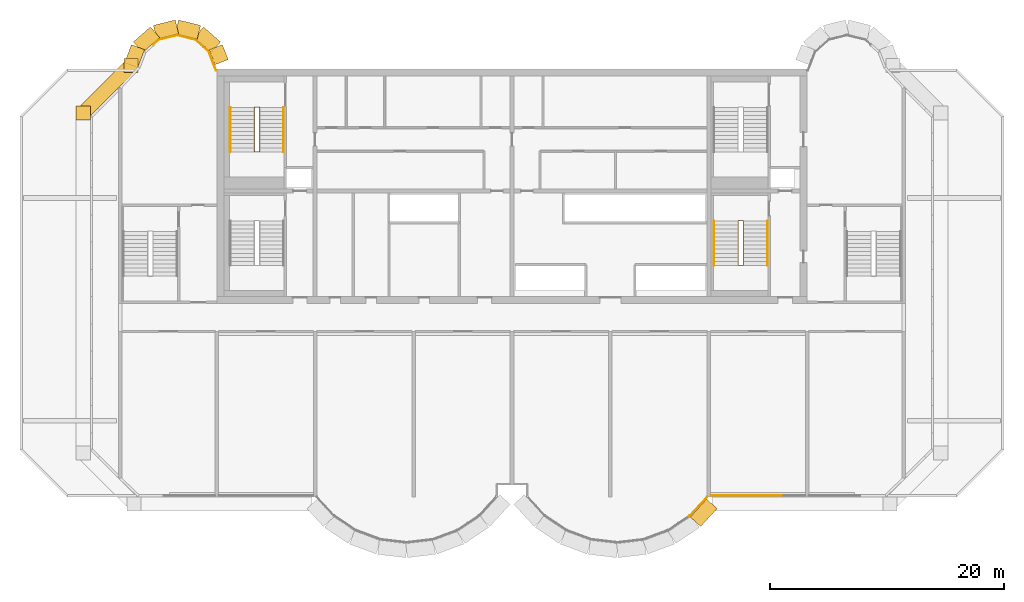
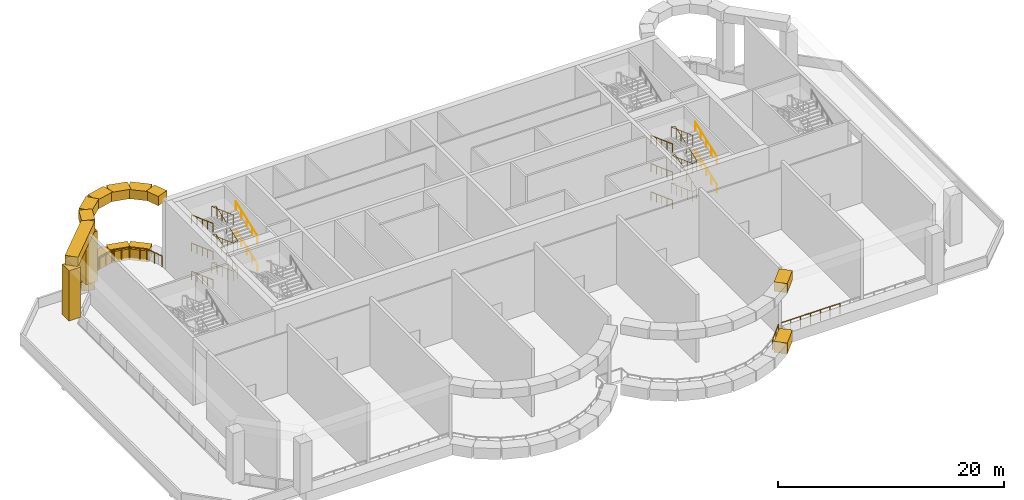
# One storey, part 9 of 11: 19 railings, 16 coverings.
"""IFC4 building model written with IfcOpenShell, lengths in metres."""

from ifc_helpers import new_model, si_unit, direction, frame, origin, origin_2d, place, context, subcontext, project, spatial, rectangle, circle, extrude, source, transform, mapped, material, type_object, element, save


model = new_model("IFC4")

# Units and contexts
model_context = context("Model", 3, precision=1e-05, world=origin(), true_north=direction((0.0, 1.0)))
body_context = subcontext(model_context, "Body", "Model", "MODEL_VIEW")
ifc_project = project(units=[si_unit("LENGTHUNIT", "METRE"), si_unit("AREAUNIT", "SQUARE_METRE"), si_unit("VOLUMEUNIT", "CUBIC_METRE"), si_unit("PLANEANGLEUNIT", "RADIAN"), si_unit("MASSUNIT", "GRAM", prefix="KILO")], contexts=[model_context])

# Site, building, storey
site_placement = place(None, origin())
site = spatial("IfcSite", under=ifc_project, at=site_placement, CompositionType="ELEMENT")
building_placement = place(site_placement, origin())
building = spatial("IfcBuilding", under=site, at=building_placement, Name="Vanashikhar Sky Hotel", CompositionType="ELEMENT")
storey_placement = place(building_placement, frame((0.0, 0.0, 206.39990234375)))
storey = spatial("IfcBuildingStorey", under=building, at=storey_placement, Name="L50", CompositionType="ELEMENT", Elevation=206.39990234375)

# Railings
ifc_material_1 = material(Name="Stainless steel 316", Category="steel")
railing_type_1 = type_object("IfcRailingType", Name="Open edge guard 1200", PredefinedType="GUARDRAIL", material=ifc_material_1)
shared_shape_1 = source(origin(), body_context, "Body", "SweptSolid", [
    extrude(circle(Radius=0.02392578125, at=origin_2d()), frame((0.0, 0.0, 1.17578125), z_axis=(0.749713466522, 0.661762584403, 0.0), x_axis=(-0.661762584403, 0.749713466522, 0.0)), (0.0, 0.0, 1.0), 0.630126953125),
    extrude(circle(Radius=0.02392578125, at=origin_2d()), frame((0.472412109375, 0.4169921875, 1.17578125), z_axis=(0.971157062052, 0.238440686181, 0.0), x_axis=(-0.238440686181, 0.971157062052, 0.0)), (0.0, 0.0, 1.0), 1.5859375),
    extrude(circle(Radius=0.02392578125, at=origin_2d()), frame((2.0126953125, 0.795166015625, 1.17578125), z_axis=(0.971053886782, -0.23886052199, 0.0), x_axis=(0.23886052199, 0.971053886782, 0.0)), (0.0, 0.0, 1.0), 0.156494140625),
    extrude(circle(Radius=0.02099609375, at=origin_2d()), origin(), (0.0, 0.0, 1.0), 1.15185546875),
    extrude(circle(Radius=0.02099609375, at=origin_2d()), frame((0.472412109375, 0.4169921875, 0.0)), (0.0, 0.0, 1.0), 1.15185546875),
    extrude(circle(Radius=0.02099609375, at=origin_2d()), frame((1.24267578125, 0.60595703125, 0.0)), (0.0, 0.0, 1.0), 1.15185546875),
    extrude(circle(Radius=0.02099609375, at=origin_2d()), frame((2.0126953125, 0.795166015625, 0.0)), (0.0, 0.0, 1.0), 1.15185546875),
    extrude(circle(Radius=0.02099609375, at=origin_2d()), frame((2.16455078125, 0.7578125, 0.0)), (0.0, 0.0, 1.0), 1.15185546875),
])
railing_1_placement = place(storey_placement, frame((19.787353515625, 44.101806640625, 0.0)))
element("IfcRailing", 1, at=railing_1_placement, inside=storey, type_object=railing_type_1, Name="Open edge guard", PredefinedType="GUARDRAIL", context=body_context, shape_type="MappedRepresentation", body=[
    mapped(shared_shape_1, transform((0.0, 0.0, 0.0), scale=1.0)),
])
shared_shape_2 = source(origin(), body_context, "Body", "SweptSolid", [
    extrude(circle(Radius=0.02392578125, at=origin_2d()), frame((0.0, 0.0, 1.17578125), z_axis=(0.97116833688, -0.238394759677, 0.0), x_axis=(0.238394759677, 0.97116833688, 0.0)), (0.0, 0.0, 1.0), 1.4296875),
    extrude(circle(Radius=0.02392578125, at=origin_2d()), frame((1.388427734375, -0.3408203125, 1.17578125), z_axis=(0.749747186246, -0.661724381231, 0.0), x_axis=(0.661724381231, 0.749747186246, 0.0)), (0.0, 0.0, 1.0), 0.943115234375),
    extrude(circle(Radius=0.02099609375, at=origin_2d()), origin(), (0.0, 0.0, 1.0), 1.15185546875),
    extrude(circle(Radius=0.02099609375, at=origin_2d()), frame((0.6943359375, -0.17041015625, 0.0)), (0.0, 0.0, 1.0), 1.15185546875),
    extrude(circle(Radius=0.02099609375, at=origin_2d()), frame((1.388427734375, -0.3408203125, 0.0)), (0.0, 0.0, 1.0), 1.15185546875),
    extrude(circle(Radius=0.02099609375, at=origin_2d()), frame((2.095458984375, -0.96484375, 0.0)), (0.0, 0.0, 1.0), 1.15185546875),
])
railing_2_placement = place(storey_placement, frame((21.951904296875, 44.859619140625, 0.0)))
element("IfcRailing", 2, at=railing_2_placement, inside=storey, type_object=railing_type_1, Name="Open edge guard", PredefinedType="GUARDRAIL", context=body_context, shape_type="MappedRepresentation", body=[
    mapped(shared_shape_2, transform((0.0, 0.0, 0.0), scale=1.0)),
])
shared_shape_3 = source(origin(), body_context, "Body", "SweptSolid", [
    extrude(circle(Radius=0.02392578125, at=origin_2d()), frame((0.0, 0.0, 1.17578125), z_axis=(0.749683064386, -0.661797025509, 0.0), x_axis=(0.661797025509, 0.749683064386, 0.0)), (0.0, 0.0, 1.0), 0.64453125),
    extrude(circle(Radius=0.02392578125, at=origin_2d()), frame((0.483154296875, -0.426513671875, 1.17578125), z_axis=(0.357614897755, -0.933869147634, 0.0), x_axis=(0.933869147634, 0.357614897755, 0.0)), (0.0, 0.0, 1.0), 1.679443359375),
    extrude(circle(Radius=0.02392578125, at=origin_2d()), frame((1.083740234375, -1.994873046875, 1.17578125), z_axis=(1.0, 0.0, 0.0), x_axis=(0.0, 1.0, 0.0)), (0.0, 0.0, 1.0), 0.048828125),
    extrude(circle(Radius=0.02099609375, at=origin_2d()), origin(), (0.0, 0.0, 1.0), 1.15185546875),
    extrude(circle(Radius=0.02099609375, at=origin_2d()), frame((0.483154296875, -0.426513671875, 0.0)), (0.0, 0.0, 1.0), 1.15185546875),
    extrude(circle(Radius=0.02099609375, at=origin_2d()), frame((0.783447265625, -1.210693359375, 0.0)), (0.0, 0.0, 1.0), 1.15185546875),
    extrude(circle(Radius=0.02099609375, at=origin_2d()), frame((1.083740234375, -1.994873046875, 0.0)), (0.0, 0.0, 1.0), 1.15185546875),
    extrude(circle(Radius=0.02099609375, at=origin_2d()), frame((1.132568359375, -1.994873046875, 0.0)), (0.0, 0.0, 1.0), 1.15185546875),
])
railing_3_placement = place(storey_placement, frame((24.04736328125, 43.894775390625, 0.0)))
element("IfcRailing", 3, at=railing_3_placement, inside=storey, type_object=railing_type_1, Name="Open edge guard", PredefinedType="GUARDRAIL", context=body_context, shape_type="MappedRepresentation", body=[
    mapped(shared_shape_3, transform((0.0, 0.0, 0.0), scale=1.0)),
])
shared_shape_4 = source(origin(), body_context, "Body", "SweptSolid", [
    extrude(circle(Radius=0.02392578125, at=origin_2d()), frame((0.0, 0.0, 1.17578125), z_axis=(-1.0, 0.0, 0.0), x_axis=(0.0, -1.0, 0.0)), (0.0, 0.0, 1.0), 2.014892578125),
    extrude(circle(Radius=0.02099609375, at=origin_2d()), origin(), (0.0, 0.0, 1.0), 1.15185546875),
    extrude(circle(Radius=0.02099609375, at=origin_2d()), frame((-1.00732421875, 0.0, 0.0)), (0.0, 0.0, 1.0), 1.15185546875),
    extrude(circle(Radius=0.02099609375, at=origin_2d()), frame((-2.014892578125, 0.0, 0.0)), (0.0, 0.0, 1.0), 1.15185546875),
])
for number, where, name in (
    (4, (71.39990234375, 5.60009765625, 0.0), "Open edge guard"),
    (5, (69.385009765625, 5.60009765625, 0.0), "Open edge guard"),
):
    element("IfcRailing", number, at=place(storey_placement, frame(where)), inside=storey, type_object=railing_type_1, Name=name, PredefinedType="GUARDRAIL", context=body_context, shape_type="MappedRepresentation", body=[
        mapped(shared_shape_4, transform((0.0, 0.0, 0.0), scale=1.0)),
    ])
shared_shape_5 = source(origin(), body_context, "Body", "SweptSolid", [
    extrude(circle(Radius=0.02392578125, at=origin_2d()), frame((0.0, 0.0, 1.17578125), z_axis=(-1.0, 0.0, 0.0), x_axis=(0.0, -1.0, 0.0)), (0.0, 0.0, 1.0), 2.01513671875),
    extrude(circle(Radius=0.02099609375, at=origin_2d()), origin(), (0.0, 0.0, 1.0), 1.15185546875),
    extrude(circle(Radius=0.02099609375, at=origin_2d()), frame((-1.007568359375, 0.0, 0.0)), (0.0, 0.0, 1.0), 1.15185546875),
    extrude(circle(Radius=0.02099609375, at=origin_2d()), frame((-2.01513671875, 0.0, 0.0)), (0.0, 0.0, 1.0), 1.15185546875),
])
railing_4_placement = place(storey_placement, frame((73.4150390625, 5.60009765625, 0.0)))
element("IfcRailing", 6, at=railing_4_placement, inside=storey, type_object=railing_type_1, Name="Open edge guard", PredefinedType="GUARDRAIL", context=body_context, shape_type="MappedRepresentation", body=[
    mapped(shared_shape_5, transform((0.0, 0.0, 0.0), scale=1.0)),
])
shared_shape_6 = source(origin(), body_context, "Body", "SweptSolid", [
    extrude(circle(Radius=0.02392578125, at=origin_2d()), frame((0.0, 0.0, 1.17578125), z_axis=(-0.675388701556, -0.737461932448, 0.0), x_axis=(0.737461932448, -0.675388701556, 0.0)), (0.0, 0.0, 1.0), 2.1396484375),
    extrude(circle(Radius=0.02392578125, at=origin_2d()), frame((-1.445068359375, -1.577880859375, 1.17578125), z_axis=(-0.830296320178, -0.557322187517, 0.0), x_axis=(0.557322187517, -0.830296320178, 0.0)), (0.0, 0.0, 1.0), 0.0859375),
    extrude(circle(Radius=0.02099609375, at=origin_2d()), origin(), (0.0, 0.0, 1.0), 1.15185546875),
    extrude(circle(Radius=0.02099609375, at=origin_2d()), frame((-0.72265625, -0.7890625, 0.0)), (0.0, 0.0, 1.0), 1.15185546875),
    extrude(circle(Radius=0.02099609375, at=origin_2d()), frame((-1.445068359375, -1.577880859375, 0.0)), (0.0, 0.0, 1.0), 1.15185546875),
    extrude(circle(Radius=0.02099609375, at=origin_2d()), frame((-1.516357421875, -1.625732421875, 0.0)), (0.0, 0.0, 1.0), 1.15185546875),
])
railing_5_placement = place(storey_placement, frame((67.04638671875, 5.480224609375, 0.0)))
element("IfcRailing", 7, at=railing_5_placement, inside=storey, type_object=railing_type_1, Name="Open edge guard", PredefinedType="GUARDRAIL", context=body_context, shape_type="MappedRepresentation", body=[
    mapped(shared_shape_6, transform((0.0, 0.0, 0.0), scale=1.0)),
])

# Coverings
ifc_material_2 = material(Name="Concrete M60 dark", Category="concrete")
covering_type = type_object("IfcCoveringType", Name="Wind floor portal frame", PredefinedType="CLADDING", material=ifc_material_2)
shared_shape_7 = source(origin(), body_context, "Body", "SweptSolid", [
    extrude(rectangle(XDim=2.0771484375, YDim=1.199951171875, at=origin_2d()), origin(), (0.0, 0.0, 1.0), 1.0),
])
covering_1_placement = place(storey_placement, frame((66.7626953125, 4.134033203125, 6.320068359375), z_axis=(0.0, 0.0, 1.0), x_axis=(0.67534568005, 0.737501330465, 0.0)))
element("IfcCovering", 8, at=covering_1_placement, inside=storey, type_object=covering_type, Name="Portal frame head", PredefinedType="CLADDING", context=body_context, shape_type="MappedRepresentation", body=[
    mapped(shared_shape_7, transform((0.0, 0.0, 0.0), scale=1.0)),
])
shared_shape_8 = source(origin(), body_context, "Body", "SweptSolid", [
    extrude(rectangle(XDim=2.0771484375, YDim=1.199951171875, at=origin_2d()), origin(), (0.0, 0.0, 1.0), 1.179931640625),
])
covering_2_placement = place(storey_placement, frame((66.7626953125, 4.134033203125, -0.27978515625), z_axis=(0.0, 0.0, 1.0), x_axis=(0.67534568005, 0.737501330465, 0.0)))
element("IfcCovering", 9, at=covering_2_placement, inside=storey, type_object=covering_type, Name="Portal frame sill", PredefinedType="CLADDING", context=body_context, shape_type="MappedRepresentation", body=[
    mapped(shared_shape_8, transform((0.0, 0.0, 0.0), scale=1.0)),
])
shared_shape_9 = source(origin(), body_context, "Body", "SweptSolid", [
    extrude(rectangle(XDim=5.777587890625, YDim=1.199951171875, at=origin_2d()), origin(), (0.0, 0.0, 1.0), 1.0),
])
covering_3_placement = place(storey_placement, frame((15.8427734375, 40.291259765625, 6.320068359375), z_axis=(0.0, 0.0, 1.0), x_axis=(-0.707106781187, -0.707106781187, 0.0)))
element("IfcCovering", 10, at=covering_3_placement, inside=storey, type_object=covering_type, Name="Portal frame head", PredefinedType="CLADDING", context=body_context, shape_type="MappedRepresentation", body=[
    mapped(shared_shape_9, transform((0.0, 0.0, 0.0), scale=1.0)),
])
shared_shape_10 = source(origin(), body_context, "Body", "SweptSolid", [
    extrude(rectangle(XDim=1.65478515625, YDim=1.199951171875, at=origin_2d()), origin(), (0.0, 0.0, 1.0), 1.0),
])
covering_4_placement = place(storey_placement, frame((18.181396484375, 43.106689453125, 6.320068359375), z_axis=(0.0, 0.0, 1.0), x_axis=(-0.357716100175, -0.933830386995, 0.0)))
element("IfcCovering", 11, at=covering_4_placement, inside=storey, type_object=covering_type, Name="Portal frame head", PredefinedType="CLADDING", context=body_context, shape_type="MappedRepresentation", body=[
    mapped(shared_shape_10, transform((0.0, 0.0, 0.0), scale=1.0)),
])
shared_shape_11 = source(origin(), body_context, "Body", "SweptSolid", [
    extrude(rectangle(XDim=1.65478515625, YDim=1.199951171875, at=origin_2d()), origin(), (0.0, 0.0, 1.0), 1.179931640625),
])
covering_5_placement = place(storey_placement, frame((18.181396484375, 43.106689453125, -0.27978515625), z_axis=(0.0, 0.0, 1.0), x_axis=(-0.357716100175, -0.933830386995, 0.0)))
element("IfcCovering", 12, at=covering_5_placement, inside=storey, type_object=covering_type, Name="Portal frame sill", PredefinedType="CLADDING", context=body_context, shape_type="MappedRepresentation", body=[
    mapped(shared_shape_11, transform((0.0, 0.0, 0.0), scale=1.0)),
])
shared_shape_12 = source(origin(), body_context, "Body", "SweptSolid", [
    extrude(rectangle(XDim=1.931640625, YDim=1.199951171875, at=origin_2d()), origin(), (0.0, 0.0, 1.0), 1.0),
])
for number, where, z_axis, x_axis, name in (
    (13, (24.3984375, 44.518310546875, 6.320068359375), (0.0, 0.0, 1.0), (-0.749741606437, 0.661730703214, 0.0), "Portal frame head"),
    (14, (19.201416015625, 44.518310546875, 6.320068359375), (0.0, 0.0, 1.0), (-0.749741606437, -0.661730703214, 0.0), "Portal frame head"),
):
    element("IfcCovering", number, at=place(storey_placement, frame(where, z_axis=z_axis, x_axis=x_axis)), inside=storey, type_object=covering_type, Name=name, PredefinedType="CLADDING", context=body_context, shape_type="MappedRepresentation", body=[
        mapped(shared_shape_12, transform((0.0, 0.0, 0.0), scale=1.0)),
    ])
shared_shape_13 = source(origin(), body_context, "Body", "SweptSolid", [
    extrude(rectangle(XDim=1.931640625, YDim=1.199951171875, at=origin_2d()), origin(), (0.0, 0.0, 1.0), 1.179931640625),
])
for number, where, z_axis, x_axis, name in (
    (15, (24.3984375, 44.518310546875, -0.27978515625), (0.0, 0.0, 1.0), (-0.749741606437, 0.661730703214, 0.0), "Portal frame sill"),
    (16, (19.201416015625, 44.518310546875, -0.27978515625), (0.0, 0.0, 1.0), (-0.749741606437, -0.661730703214, 0.0), "Portal frame sill"),
):
    element("IfcCovering", number, at=place(storey_placement, frame(where, z_axis=z_axis, x_axis=x_axis)), inside=storey, type_object=covering_type, Name=name, PredefinedType="CLADDING", context=body_context, shape_type="MappedRepresentation", body=[
        mapped(shared_shape_13, transform((0.0, 0.0, 0.0), scale=1.0)),
    ])
shared_shape_14 = source(origin(), body_context, "Body", "SweptSolid", [
    extrude(rectangle(XDim=1.93017578125, YDim=1.199951171875, at=origin_2d()), origin(), (0.0, 0.0, 1.0), 1.0),
])
for number, where, z_axis, x_axis, name in (
    (17, (22.7373046875, 45.3876953125, 6.320068359375), (0.0, 0.0, 1.0), (-0.971146768161, 0.23848260878, 0.0), "Portal frame head"),
    (18, (20.86279296875, 45.3876953125, 6.320068359375), (0.0, 0.0, 1.0), (-0.971146768161, -0.23848260878, 0.0), "Portal frame head"),
):
    element("IfcCovering", number, at=place(storey_placement, frame(where, z_axis=z_axis, x_axis=x_axis)), inside=storey, type_object=covering_type, Name=name, PredefinedType="CLADDING", context=body_context, shape_type="MappedRepresentation", body=[
        mapped(shared_shape_14, transform((0.0, 0.0, 0.0), scale=1.0)),
    ])
shared_shape_15 = source(origin(), body_context, "Body", "SweptSolid", [
    extrude(rectangle(XDim=1.93017578125, YDim=1.199951171875, at=origin_2d()), origin(), (0.0, 0.0, 1.0), 1.179931640625),
])
for number, where, z_axis, x_axis, name in (
    (19, (22.7373046875, 45.3876953125, -0.27978515625), (0.0, 0.0, 1.0), (-0.971146768161, 0.23848260878, 0.0), "Portal frame sill"),
    (20, (20.86279296875, 45.3876953125, -0.27978515625), (0.0, 0.0, 1.0), (-0.971146768161, -0.23848260878, 0.0), "Portal frame sill"),
):
    element("IfcCovering", number, at=place(storey_placement, frame(where, z_axis=z_axis, x_axis=x_axis)), inside=storey, type_object=covering_type, Name=name, PredefinedType="CLADDING", context=body_context, shape_type="MappedRepresentation", body=[
        mapped(shared_shape_15, transform((0.0, 0.0, 0.0), scale=1.0)),
    ])
shared_shape_16 = source(origin(), body_context, "Body", "SweptSolid", [
    extrude(rectangle(XDim=1.3701171875, YDim=1.199951171875, at=origin_2d()), origin(), (0.0, 0.0, 1.0), 1.0),
])
covering_6_placement = place(storey_placement, frame((25.36767578125, 43.239501953125, 6.320068359375), z_axis=(0.0, 0.0, 1.0), x_axis=(-0.357748696787, 0.933817899779, 0.0)))
element("IfcCovering", 21, at=covering_6_placement, inside=storey, type_object=covering_type, Name="Portal frame head", PredefinedType="CLADDING", context=body_context, shape_type="MappedRepresentation", body=[
    mapped(shared_shape_16, transform((0.0, 0.0, 0.0), scale=1.0)),
])
shared_shape_17 = source(origin(), body_context, "Body", "SweptSolid", [
    extrude(rectangle(XDim=1.199951171875, YDim=1.199951171875, at=origin_2d()), origin(), (0.0, 0.0, 1.0), 5.419921875),
])
for number, where, z_axis, x_axis, name in (
    (22, (17.885498046875, 42.333984375, 0.900146484375), (0.0, 0.0, 1.0), (1.0, 0.0, 0.0), "Portal frame jamb"),
    (23, (13.800048828125, 38.24853515625, 0.900146484375), (0.0, 0.0, 1.0), (1.0, 0.0, 0.0), "Portal frame jamb"),
):
    element("IfcCovering", number, at=place(storey_placement, frame(where, z_axis=z_axis, x_axis=x_axis)), inside=storey, type_object=covering_type, Name=name, PredefinedType="CLADDING", context=body_context, shape_type="MappedRepresentation", body=[
        mapped(shared_shape_17, transform((0.0, 0.0, 0.0), scale=1.0)),
    ])

# Railings
ifc_material_3 = material(Name="Steel S355", Category="steel")
railing_type_2 = type_object("IfcRailingType", Name="Stair guard 1100", PredefinedType="GUARDRAIL", material=ifc_material_3)
shared_shape_18 = source(origin(), body_context, "Body", "SweptSolid", [
    extrude(circle(Radius=0.02392578125, at=origin_2d()), frame((0.0, 0.0, 1.076171875), z_axis=(-0.962599902366, 0.0, 0.270926979028), x_axis=(0.0, -1.0, 0.0)), (0.0, 0.0, 1.0), 0.4677734375),
    extrude(circle(Radius=0.02392578125, at=origin_2d()), frame((-0.4501953125, 0.0, 1.20263671875), z_axis=(0.0, -0.938879565204, 0.344245787255), x_axis=(1.0, 0.0, 0.0)), (0.0, 0.0, 1.0), 4.04736328125),
    extrude(circle(Radius=0.02392578125, at=origin_2d()), frame((-0.4501953125, -3.800048828125, 2.59619140625), z_axis=(0.962599902366, 0.0, 0.270926979028), x_axis=(0.0, 1.0, 0.0)), (0.0, 0.0, 1.0), 0.4677734375),
    extrude(circle(Radius=0.02392578125, at=origin_2d()), frame((0.0, -3.800048828125, 2.72265625), z_axis=(0.0, 0.938879565204, 0.344245787255), x_axis=(-1.0, 0.0, 0.0)), (0.0, 0.0, 1.0), 4.04736328125),
    extrude(circle(Radius=0.02392578125, at=origin_2d()), frame((0.0, 0.0, 4.1162109375), z_axis=(-0.962599902366, 0.0, 0.270926979028), x_axis=(0.0, -1.0, 0.0)), (0.0, 0.0, 1.0), 0.4677734375),
    extrude(circle(Radius=0.02392578125, at=origin_2d()), frame((-0.4501953125, 0.0, 4.24267578125), z_axis=(0.0, -0.938879565204, 0.344245787255), x_axis=(1.0, 0.0, 0.0)), (0.0, 0.0, 1.0), 4.04736328125),
    extrude(circle(Radius=0.02392578125, at=origin_2d()), frame((-0.4501953125, -3.800048828125, 5.63623046875), z_axis=(0.962599902366, 0.0, 0.270926979028), x_axis=(0.0, 1.0, 0.0)), (0.0, 0.0, 1.0), 0.4677734375),
    extrude(circle(Radius=0.02392578125, at=origin_2d()), frame((0.0, -3.800048828125, 5.7626953125), z_axis=(0.0, 0.938879565204, 0.344245787255), x_axis=(-1.0, 0.0, 0.0)), (0.0, 0.0, 1.0), 4.04736328125),
    extrude(circle(Radius=0.02392578125, at=origin_2d()), frame((0.0, 0.0, 7.15625), z_axis=(-0.962599902366, 0.0, 0.270926979028), x_axis=(0.0, -1.0, 0.0)), (0.0, 0.0, 1.0), 0.4677734375),
    extrude(circle(Radius=0.02392578125, at=origin_2d()), frame((-0.4501953125, 0.0, 7.28271484375), z_axis=(0.0, -0.938879565204, 0.344245787255), x_axis=(1.0, 0.0, 0.0)), (0.0, 0.0, 1.0), 4.04736328125),
    extrude(circle(Radius=0.02099609375, at=origin_2d()), origin(), (0.0, 0.0, 1.0), 1.052001953125),
    extrude(circle(Radius=0.02099609375, at=origin_2d()), frame((-0.4501953125, 0.0, 0.126708984375)), (0.0, 0.0, 1.0), 1.052001953125),
    extrude(circle(Radius=0.02099609375, at=origin_2d()), frame((-0.4501953125, -0.949951171875, 0.47509765625)), (0.0, 0.0, 1.0), 1.052001953125),
    extrude(circle(Radius=0.02099609375, at=origin_2d()), frame((-0.4501953125, -1.89990234375, 0.8232421875)), (0.0, 0.0, 1.0), 1.052001953125),
    extrude(circle(Radius=0.02099609375, at=origin_2d()), frame((-0.4501953125, -2.85009765625, 1.171630859375)), (0.0, 0.0, 1.0), 1.052001953125),
    extrude(circle(Radius=0.02099609375, at=origin_2d()), frame((-0.4501953125, -3.800048828125, 1.52001953125)), (0.0, 0.0, 1.0), 1.052001953125),
    extrude(circle(Radius=0.02099609375, at=origin_2d()), frame((0.0, -3.800048828125, 1.646728515625)), (0.0, 0.0, 1.0), 1.052001953125),
    extrude(circle(Radius=0.02099609375, at=origin_2d()), frame((0.0, -2.85009765625, 1.9951171875)), (0.0, 0.0, 1.0), 1.052001953125),
    extrude(circle(Radius=0.02099609375, at=origin_2d()), frame((0.0, -1.89990234375, 2.34326171875)), (0.0, 0.0, 1.0), 1.052001953125),
    extrude(circle(Radius=0.02099609375, at=origin_2d()), frame((0.0, -0.949951171875, 2.691650390625)), (0.0, 0.0, 1.0), 1.052001953125),
    extrude(circle(Radius=0.02099609375, at=origin_2d()), frame((0.0, 0.0, 3.0400390625)), (0.0, 0.0, 1.0), 1.052001953125),
    extrude(circle(Radius=0.02099609375, at=origin_2d()), frame((-0.4501953125, 0.0, 3.166748046875)), (0.0, 0.0, 1.0), 1.052001953125),
    extrude(circle(Radius=0.02099609375, at=origin_2d()), frame((-0.4501953125, -0.949951171875, 3.51513671875)), (0.0, 0.0, 1.0), 1.052001953125),
    extrude(circle(Radius=0.02099609375, at=origin_2d()), frame((-0.4501953125, -1.89990234375, 3.86328125)), (0.0, 0.0, 1.0), 1.052001953125),
    extrude(circle(Radius=0.02099609375, at=origin_2d()), frame((-0.4501953125, -2.85009765625, 4.211669921875)), (0.0, 0.0, 1.0), 1.052001953125),
    extrude(circle(Radius=0.02099609375, at=origin_2d()), frame((-0.4501953125, -3.800048828125, 4.56005859375)), (0.0, 0.0, 1.0), 1.052001953125),
    extrude(circle(Radius=0.02099609375, at=origin_2d()), frame((0.0, -3.800048828125, 4.686767578125)), (0.0, 0.0, 1.0), 1.052001953125),
    extrude(circle(Radius=0.02099609375, at=origin_2d()), frame((0.0, -2.85009765625, 5.03515625)), (0.0, 0.0, 1.0), 1.052001953125),
    extrude(circle(Radius=0.02099609375, at=origin_2d()), frame((0.0, -1.89990234375, 5.38330078125)), (0.0, 0.0, 1.0), 1.052001953125),
    extrude(circle(Radius=0.02099609375, at=origin_2d()), frame((0.0, -0.949951171875, 5.731689453125)), (0.0, 0.0, 1.0), 1.052001953125),
    extrude(circle(Radius=0.02099609375, at=origin_2d()), frame((0.0, 0.0, 6.080078125)), (0.0, 0.0, 1.0), 1.052001953125),
    extrude(circle(Radius=0.02099609375, at=origin_2d()), frame((-0.4501953125, 0.0, 6.206787109375)), (0.0, 0.0, 1.0), 1.052001953125),
    extrude(circle(Radius=0.02099609375, at=origin_2d()), frame((-0.4501953125, -0.949951171875, 6.55517578125)), (0.0, 0.0, 1.0), 1.052001953125),
    extrude(circle(Radius=0.02099609375, at=origin_2d()), frame((-0.4501953125, -1.89990234375, 6.9033203125)), (0.0, 0.0, 1.0), 1.052001953125),
    extrude(circle(Radius=0.02099609375, at=origin_2d()), frame((-0.4501953125, -2.85009765625, 7.251708984375)), (0.0, 0.0, 1.0), 1.052001953125),
    extrude(circle(Radius=0.02099609375, at=origin_2d()), frame((-0.4501953125, -3.800048828125, 7.60009765625)), (0.0, 0.0, 1.0), 1.052001953125),
])
railing_6_placement = place(storey_placement, frame((28.85009765625, 38.75, 0.0)))
element("IfcRailing", 24, at=railing_6_placement, inside=storey, type_object=railing_type_2, Name="Exit stair 5 guard", PredefinedType="GUARDRAIL", context=body_context, shape_type="MappedRepresentation", body=[
    mapped(shared_shape_18, transform((0.0, 0.0, 0.0), scale=1.0)),
])
railing_type_3 = type_object("IfcRailingType", Name="Stair handrail 900", PredefinedType="HANDRAIL", material=ifc_material_3)
shared_shape_19 = source(origin(), body_context, "Body", "SweptSolid", [
    extrude(circle(Radius=0.02392578125, at=origin_2d()), frame((0.0, 0.0, 0.8759765625), z_axis=(0.0, -0.938879565204, 0.344245787255), x_axis=(1.0, 0.0, 0.0)), (0.0, 0.0, 1.0), 4.04736328125),
    extrude(circle(Radius=0.02099609375, at=origin_2d()), origin(), (0.0, 0.0, 1.0), 0.851806640625),
    extrude(circle(Radius=0.02099609375, at=origin_2d()), frame((0.0, -0.949951171875, 0.348388671875)), (0.0, 0.0, 1.0), 0.851806640625),
    extrude(circle(Radius=0.02099609375, at=origin_2d()), frame((0.0, -1.89990234375, 0.69677734375)), (0.0, 0.0, 1.0), 0.851806640625),
    extrude(circle(Radius=0.02099609375, at=origin_2d()), frame((0.0, -2.85009765625, 1.044921875)), (0.0, 0.0, 1.0), 0.851806640625),
    extrude(circle(Radius=0.02099609375, at=origin_2d()), frame((0.0, -3.800048828125, 1.393310546875)), (0.0, 0.0, 1.0), 0.851806640625),
])
for number, where, name in (
    (25, (67.64990234375, 29.050048828125, 0.126708984375), "Exit stair 2 handrail"),
    (26, (67.64990234375, 29.050048828125, 3.166748046875), "Exit stair 2 handrail"),
    (27, (67.64990234375, 29.050048828125, 6.206787109375), "Exit stair 2 handrail"),
    (28, (26.35009765625, 38.75, 0.126708984375), "Exit stair 5 handrail"),
    (29, (26.35009765625, 38.75, 3.166748046875), "Exit stair 5 handrail"),
    (30, (26.35009765625, 38.75, 6.206787109375), "Exit stair 5 handrail"),
):
    element("IfcRailing", number, at=place(storey_placement, frame(where)), inside=storey, type_object=railing_type_3, Name=name, PredefinedType="HANDRAIL", context=body_context, shape_type="MappedRepresentation", body=[
        mapped(shared_shape_19, transform((0.0, 0.0, 0.0), scale=1.0)),
    ])
shared_shape_20 = source(origin(), body_context, "Body", "SweptSolid", [
    extrude(circle(Radius=0.02392578125, at=origin_2d()), frame((0.0, 0.0, 0.8759765625), z_axis=(0.0, 0.938879565204, 0.344245787255), x_axis=(-1.0, 0.0, 0.0)), (0.0, 0.0, 1.0), 4.04736328125),
    extrude(circle(Radius=0.02099609375, at=origin_2d()), origin(), (0.0, 0.0, 1.0), 0.851806640625),
    extrude(circle(Radius=0.02099609375, at=origin_2d()), frame((0.0, 0.949951171875, 0.348388671875)), (0.0, 0.0, 1.0), 0.851806640625),
    extrude(circle(Radius=0.02099609375, at=origin_2d()), frame((0.0, 1.89990234375, 0.69677734375)), (0.0, 0.0, 1.0), 0.851806640625),
    extrude(circle(Radius=0.02099609375, at=origin_2d()), frame((0.0, 2.85009765625, 1.044921875)), (0.0, 0.0, 1.0), 0.851806640625),
    extrude(circle(Radius=0.02099609375, at=origin_2d()), frame((0.0, 3.800048828125, 1.393310546875)), (0.0, 0.0, 1.0), 0.851806640625),
])
for number, where, name in (
    (31, (72.199951171875, 25.25, 1.646728515625), "Exit stair 2 handrail"),
    (32, (72.199951171875, 25.25, 4.686767578125), "Exit stair 2 handrail"),
    (33, (30.89990234375, 34.949951171875, 1.646728515625), "Exit stair 5 handrail"),
    (34, (30.89990234375, 34.949951171875, 4.686767578125), "Exit stair 5 handrail"),
):
    element("IfcRailing", number, at=place(storey_placement, frame(where)), inside=storey, type_object=railing_type_3, Name=name, PredefinedType="HANDRAIL", context=body_context, shape_type="MappedRepresentation", body=[
        mapped(shared_shape_20, transform((0.0, 0.0, 0.0), scale=1.0)),
    ])
shared_shape_21 = source(origin(), body_context, "Body", "SweptSolid", [
    extrude(circle(Radius=0.02392578125, at=origin_2d()), frame((0.0, 0.0, 1.076171875), z_axis=(-0.962561556651, 0.0, 0.271063183886), x_axis=(0.0, -1.0, 0.0)), (0.0, 0.0, 1.0), 0.467529296875),
    extrude(circle(Radius=0.02392578125, at=origin_2d()), frame((-0.449951171875, 0.0, 1.20263671875), z_axis=(0.0, -0.938879565204, 0.344245787255), x_axis=(1.0, 0.0, 0.0)), (0.0, 0.0, 1.0), 4.04736328125),
    extrude(circle(Radius=0.02392578125, at=origin_2d()), frame((-0.449951171875, -3.800048828125, 2.59619140625), z_axis=(0.962561556651, 0.0, 0.271063183886), x_axis=(0.0, 1.0, 0.0)), (0.0, 0.0, 1.0), 0.467529296875),
    extrude(circle(Radius=0.02392578125, at=origin_2d()), frame((0.0, -3.800048828125, 2.72265625), z_axis=(0.0, 0.938879565204, 0.344245787255), x_axis=(-1.0, 0.0, 0.0)), (0.0, 0.0, 1.0), 4.04736328125),
    extrude(circle(Radius=0.02392578125, at=origin_2d()), frame((0.0, 0.0, 4.1162109375), z_axis=(-0.962561556651, 0.0, 0.271063183886), x_axis=(0.0, -1.0, 0.0)), (0.0, 0.0, 1.0), 0.467529296875),
    extrude(circle(Radius=0.02392578125, at=origin_2d()), frame((-0.449951171875, 0.0, 4.24267578125), z_axis=(0.0, -0.938879565204, 0.344245787255), x_axis=(1.0, 0.0, 0.0)), (0.0, 0.0, 1.0), 4.04736328125),
    extrude(circle(Radius=0.02392578125, at=origin_2d()), frame((-0.449951171875, -3.800048828125, 5.63623046875), z_axis=(0.962561556651, 0.0, 0.271063183886), x_axis=(0.0, 1.0, 0.0)), (0.0, 0.0, 1.0), 0.467529296875),
    extrude(circle(Radius=0.02392578125, at=origin_2d()), frame((0.0, -3.800048828125, 5.7626953125), z_axis=(0.0, 0.938879565204, 0.344245787255), x_axis=(-1.0, 0.0, 0.0)), (0.0, 0.0, 1.0), 4.04736328125),
    extrude(circle(Radius=0.02392578125, at=origin_2d()), frame((0.0, 0.0, 7.15625), z_axis=(-0.962561556651, 0.0, 0.271063183886), x_axis=(0.0, -1.0, 0.0)), (0.0, 0.0, 1.0), 0.467529296875),
    extrude(circle(Radius=0.02392578125, at=origin_2d()), frame((-0.449951171875, 0.0, 7.28271484375), z_axis=(0.0, -0.938879565204, 0.344245787255), x_axis=(1.0, 0.0, 0.0)), (0.0, 0.0, 1.0), 4.04736328125),
    extrude(circle(Radius=0.02099609375, at=origin_2d()), origin(), (0.0, 0.0, 1.0), 1.052001953125),
    extrude(circle(Radius=0.02099609375, at=origin_2d()), frame((-0.449951171875, 0.0, 0.126708984375)), (0.0, 0.0, 1.0), 1.052001953125),
    extrude(circle(Radius=0.02099609375, at=origin_2d()), frame((-0.449951171875, -0.949951171875, 0.47509765625)), (0.0, 0.0, 1.0), 1.052001953125),
    extrude(circle(Radius=0.02099609375, at=origin_2d()), frame((-0.449951171875, -1.89990234375, 0.8232421875)), (0.0, 0.0, 1.0), 1.052001953125),
    extrude(circle(Radius=0.02099609375, at=origin_2d()), frame((-0.449951171875, -2.85009765625, 1.171630859375)), (0.0, 0.0, 1.0), 1.052001953125),
    extrude(circle(Radius=0.02099609375, at=origin_2d()), frame((-0.449951171875, -3.800048828125, 1.52001953125)), (0.0, 0.0, 1.0), 1.052001953125),
    extrude(circle(Radius=0.02099609375, at=origin_2d()), frame((0.0, -3.800048828125, 1.646728515625)), (0.0, 0.0, 1.0), 1.052001953125),
    extrude(circle(Radius=0.02099609375, at=origin_2d()), frame((0.0, -2.85009765625, 1.9951171875)), (0.0, 0.0, 1.0), 1.052001953125),
    extrude(circle(Radius=0.02099609375, at=origin_2d()), frame((0.0, -1.89990234375, 2.34326171875)), (0.0, 0.0, 1.0), 1.052001953125),
    extrude(circle(Radius=0.02099609375, at=origin_2d()), frame((0.0, -0.949951171875, 2.691650390625)), (0.0, 0.0, 1.0), 1.052001953125),
    extrude(circle(Radius=0.02099609375, at=origin_2d()), frame((0.0, 0.0, 3.0400390625)), (0.0, 0.0, 1.0), 1.052001953125),
    extrude(circle(Radius=0.02099609375, at=origin_2d()), frame((-0.449951171875, 0.0, 3.166748046875)), (0.0, 0.0, 1.0), 1.052001953125),
    extrude(circle(Radius=0.02099609375, at=origin_2d()), frame((-0.449951171875, -0.949951171875, 3.51513671875)), (0.0, 0.0, 1.0), 1.052001953125),
    extrude(circle(Radius=0.02099609375, at=origin_2d()), frame((-0.449951171875, -1.89990234375, 3.86328125)), (0.0, 0.0, 1.0), 1.052001953125),
    extrude(circle(Radius=0.02099609375, at=origin_2d()), frame((-0.449951171875, -2.85009765625, 4.211669921875)), (0.0, 0.0, 1.0), 1.052001953125),
    extrude(circle(Radius=0.02099609375, at=origin_2d()), frame((-0.449951171875, -3.800048828125, 4.56005859375)), (0.0, 0.0, 1.0), 1.052001953125),
    extrude(circle(Radius=0.02099609375, at=origin_2d()), frame((0.0, -3.800048828125, 4.686767578125)), (0.0, 0.0, 1.0), 1.052001953125),
    extrude(circle(Radius=0.02099609375, at=origin_2d()), frame((0.0, -2.85009765625, 5.03515625)), (0.0, 0.0, 1.0), 1.052001953125),
    extrude(circle(Radius=0.02099609375, at=origin_2d()), frame((0.0, -1.89990234375, 5.38330078125)), (0.0, 0.0, 1.0), 1.052001953125),
    extrude(circle(Radius=0.02099609375, at=origin_2d()), frame((0.0, -0.949951171875, 5.731689453125)), (0.0, 0.0, 1.0), 1.052001953125),
    extrude(circle(Radius=0.02099609375, at=origin_2d()), frame((0.0, 0.0, 6.080078125)), (0.0, 0.0, 1.0), 1.052001953125),
    extrude(circle(Radius=0.02099609375, at=origin_2d()), frame((-0.449951171875, 0.0, 6.206787109375)), (0.0, 0.0, 1.0), 1.052001953125),
    extrude(circle(Radius=0.02099609375, at=origin_2d()), frame((-0.449951171875, -0.949951171875, 6.55517578125)), (0.0, 0.0, 1.0), 1.052001953125),
    extrude(circle(Radius=0.02099609375, at=origin_2d()), frame((-0.449951171875, -1.89990234375, 6.9033203125)), (0.0, 0.0, 1.0), 1.052001953125),
    extrude(circle(Radius=0.02099609375, at=origin_2d()), frame((-0.449951171875, -2.85009765625, 7.251708984375)), (0.0, 0.0, 1.0), 1.052001953125),
    extrude(circle(Radius=0.02099609375, at=origin_2d()), frame((-0.449951171875, -3.800048828125, 7.60009765625)), (0.0, 0.0, 1.0), 1.052001953125),
])
railing_7_placement = place(storey_placement, frame((70.14990234375, 29.050048828125, 0.0)))
element("IfcRailing", 35, at=railing_7_placement, inside=storey, type_object=railing_type_2, Name="Exit stair 2 guard", PredefinedType="GUARDRAIL", context=body_context, shape_type="MappedRepresentation", body=[
    mapped(shared_shape_21, transform((0.0, 0.0, 0.0), scale=1.0)),
])

save(model, "model.ifc")
